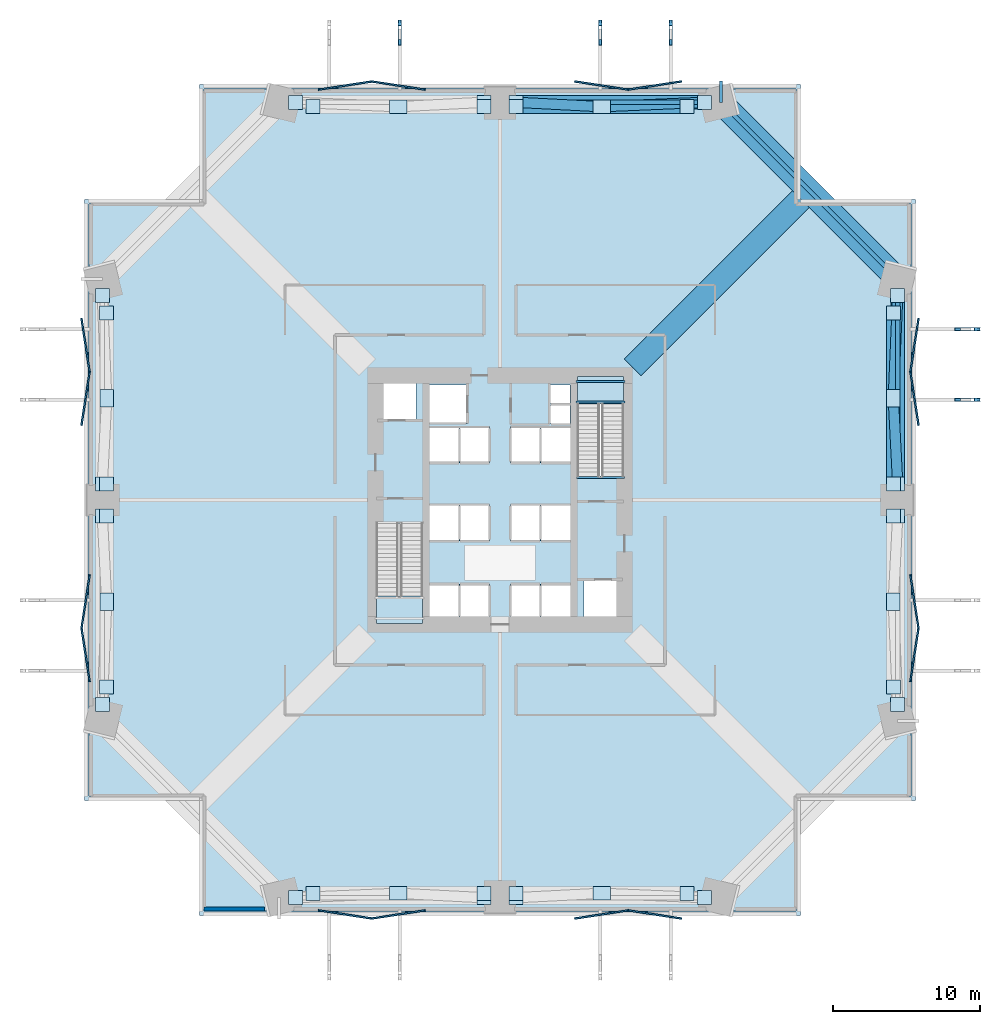
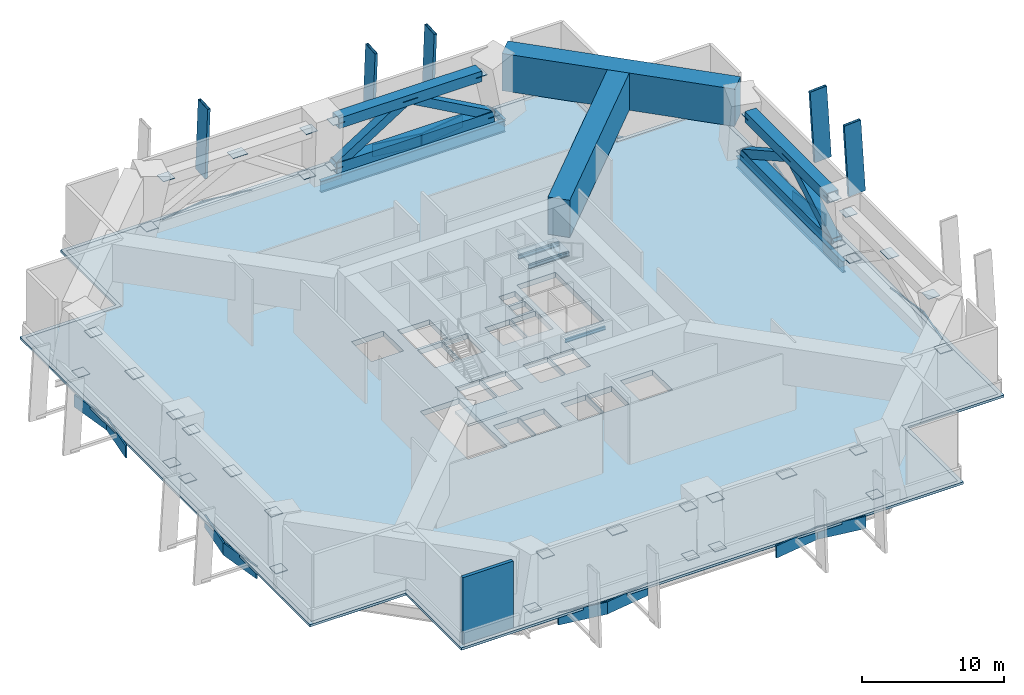
# One storey, part 2 of 6: 56 plates, 13 beams, 9 members, 4 slabs, 1 wall, 2 elements without a shape of their own.
"""IFC4 building model written with IfcOpenShell, lengths in metres."""

from ifc_helpers import new_model, si_unit, direction, frame, frame_2d, origin, origin_2d, place, context, subcontext, project, spatial, polyline, rectangle, hollow_rectangle, i_section, outline, extrude, material, layer, layer_set, material_profile, profile_set, type_object, element, aggregate, save


model = new_model("IFC4")

# Units and contexts
model_context = context("Model", 3, precision=1e-05, world=origin(), true_north=direction((0.0, 1.0)))
body_context = subcontext(model_context, "Body", "Model", "MODEL_VIEW")
ifc_project = project(units=[si_unit("LENGTHUNIT", "METRE"), si_unit("AREAUNIT", "SQUARE_METRE"), si_unit("VOLUMEUNIT", "CUBIC_METRE"), si_unit("PLANEANGLEUNIT", "RADIAN"), si_unit("MASSUNIT", "GRAM", prefix="KILO")], contexts=[model_context])

# Site, building, storey
site_placement = place(None, origin())
site = spatial("IfcSite", under=ifc_project, at=site_placement, CompositionType="ELEMENT")
building_placement = place(site_placement, origin())
building = spatial("IfcBuilding", under=site, at=building_placement, Name="Belovzor Exchange Tower", CompositionType="ELEMENT")
storey_placement = place(building_placement, frame((0.0, 0.0, 24.0)))
storey = spatial("IfcBuildingStorey", under=building, at=storey_placement, Name="L05", CompositionType="ELEMENT", Elevation=24.0)

# Members
ifc_material_1 = material(Name="Extruded Architectural Terracotta on Steel S355 Carrier", Category="masonry")
ifc_material_profile_1 = material_profile(ifc_material_1, hollow_rectangle(XDim=0.219970703125, YDim=1.35009765625, WallThickness=0.013916015625, at=origin_2d()))
ifc_profile_set_1 = profile_set([ifc_material_profile_1], Name="Extruded Architectural Terracotta on Steel S355 Carrier")
member_type_1 = type_object("IfcMemberType", Name="Base Arc Sweeping Terracotta Pylon Fin 1450", PredefinedType="USERDEFINED", material=ifc_profile_set_1)
for number, where, z_axis, x_axis, name in (
    (1, (22.0, 60.712890625, -0.449951171875), (0.0, -0.060530661981, 0.998166338322), (1.0, 0.0, 0.0), "FIN-TC145 Terracotta Facade Fin L05 N2"),
    (2, (35.60009765625, 60.712890625, -0.449951171875), (0.0, -0.060530661981, 0.998166338322), (1.0, 0.0, 0.0), "FIN-TC145 Terracotta Facade Fin L05 N3"),
    (3, (60.712890625, 35.60009765625, -0.449951171875), (-0.060530661981, 0.0, 0.998166338322), (0.0, -1.0, 0.0), "FIN-TC145 Terracotta Facade Fin L05 E3"),
    (4, (40.39990234375, 60.712890625, -0.449951171875), (0.0, -0.060530661981, 0.998166338322), (1.0, 0.0, 0.0), "FIN-TC145 Terracotta Facade Fin L05 N4"),
    (5, (60.712890625, 40.39990234375, -0.449951171875), (-0.060530661981, 0.0, 0.998166338322), (0.0, -1.0, 0.0), "FIN-TC145 Terracotta Facade Fin L05 E4"),
):
    element("IfcMember", number, at=place(storey_placement, frame(where, z_axis=z_axis, x_axis=x_axis)), inside=storey, type_object=member_type_1, Name=name, ObjectType="FIN", PredefinedType="USERDEFINED", context=body_context, shape_type="SweptSolid", body=[
        extrude(hollow_rectangle(XDim=0.219970703125, YDim=1.35009765625, WallThickness=0.013916015625, at=origin_2d()), origin(), (0.0, 0.0, 1.0), 6.21142578125),
    ])

# Beams
ifc_material_2 = material(Name="Steel S355", Category="steel")
ifc_material_profile_2 = material_profile(ifc_material_2, i_section(OverallWidth=0.199951171875, OverallDepth=0.5, WebThickness=0.01025390625, FlangeThickness=0.01611328125, at=origin_2d()))
ifc_profile_set_2 = profile_set([ifc_material_profile_2], Name="Steel S355")
beam_type_1 = type_object("IfcBeamType", Name="Planted Balcony Cantilever Beam IPE 500", PredefinedType="BEAM", material=ifc_profile_set_2)
beam_1_placement = place(storey_placement, frame((43.800048828125, 55.800048828125, -0.699951171875), z_axis=(0.0, 1.0, 0.0), x_axis=(-1.0, 0.0, 0.0)))
element("IfcBeam", 6, at=beam_1_placement, inside=storey, type_object=beam_type_1, Name="BC-500 Planted Balcony Cantilever Beam IPE 500", PredefinedType="BEAM", context=body_context, shape_type="SweptSolid", body=[
    extrude(i_section(OverallWidth=0.199951171875, OverallDepth=0.5, WebThickness=0.01025390625, FlangeThickness=0.01611328125, at=origin_2d()), origin(), (0.0, 0.0, 1.0), 1.449951171875),
])
ifc_material_3 = material(Name="Steel S460", Category="steel")
ifc_material_profile_3 = material_profile(ifc_material_3, i_section(OverallWidth=0.300048828125, OverallDepth=1.0, WebThickness=0.02099609375, FlangeThickness=0.0400390625, at=origin_2d()))
ifc_profile_set_3 = profile_set([ifc_material_profile_3], Name="Steel S460")
beam_type_2 = type_object("IfcBeamType", Name="Podium Transfer Ring Girder HEM 1000", PredefinedType="BEAM", material=ifc_profile_set_3)
beam_2_placement = place(storey_placement, frame((55.800048828125, 28.800048828125, -0.949951171875), z_axis=(0.0, 1.0, 0.0), x_axis=(-1.0, 0.0, 0.0)))
element("IfcBeam", 7, at=beam_2_placement, inside=storey, type_object=beam_type_2, Name="PG-1T Podium Transfer Ring Girder HEM 1000", PredefinedType="BEAM", context=body_context, shape_type="SweptSolid", body=[
    extrude(i_section(OverallWidth=0.300048828125, OverallDepth=1.0, WebThickness=0.02099609375, FlangeThickness=0.0400390625, at=origin_2d()), origin(), (0.0, 0.0, 1.0), 15.0),
])
beam_3_placement = place(storey_placement, frame((55.800048828125, 43.800048828125, -0.949951171875), z_axis=(-0.707106781187, 0.707106781187, 0.0), x_axis=(-0.707106781187, -0.707106781187, 0.0)))
element("IfcBeam", 8, at=beam_3_placement, inside=storey, type_object=beam_type_2, Name="PG-1T Podium Transfer Ring Girder HEM 1000", PredefinedType="BEAM", context=body_context, shape_type="SweptSolid", body=[
    extrude(i_section(OverallWidth=0.300048828125, OverallDepth=1.0, WebThickness=0.02099609375, FlangeThickness=0.0400390625, at=origin_2d()), origin(), (0.0, 0.0, 1.0), 16.970458984375),
])
beam_4_placement = place(storey_placement, frame((43.800048828125, 55.800048828125, -0.949951171875), z_axis=(-1.0, 0.0, 0.0), x_axis=(0.0, -1.0, 0.0)))
element("IfcBeam", 9, at=beam_4_placement, inside=storey, type_object=beam_type_2, Name="PG-1T Podium Transfer Ring Girder HEM 1000", PredefinedType="BEAM", context=body_context, shape_type="SweptSolid", body=[
    extrude(i_section(OverallWidth=0.300048828125, OverallDepth=1.0, WebThickness=0.02099609375, FlangeThickness=0.0400390625, at=origin_2d()), origin(), (0.0, 0.0, 1.0), 15.0),
])
ifc_material_4 = material(Name="Steel S460", Category="steel")
ifc_material_profile_4 = material_profile(ifc_material_4, hollow_rectangle(XDim=0.89990234375, YDim=0.89990234375, WallThickness=0.044921875, at=origin_2d()))
ifc_profile_set_4 = profile_set([ifc_material_profile_4], Name="Steel S460")
beam_type_3 = type_object("IfcBeamType", Name="Podium Transfer Truss Heavy Chord SHS 900x900x45", PredefinedType="BEAM", material=ifc_profile_set_4)
beam_5_placement = place(storey_placement, frame((55.5, 29.89990234375, 4.5), z_axis=(0.0, 1.0, 0.0), x_axis=(-1.0, 0.0, 0.0)))
element("IfcBeam", 10, at=beam_5_placement, inside=storey, type_object=beam_type_3, Name="TC-900 Podium Transfer Truss Heavy Chord SHS 900x900x45", PredefinedType="BEAM", context=body_context, shape_type="SweptSolid", body=[
    extrude(hollow_rectangle(XDim=0.89990234375, YDim=0.89990234375, WallThickness=0.044921875, at=origin_2d()), origin(), (0.0, 0.0, 1.0), 11.60009765625),
])
beam_6_placement = place(storey_placement, frame((55.800048828125, 29.89990234375, 0.449951171875), z_axis=(0.0, 1.0, 0.0), x_axis=(-1.0, 0.0, 0.0)))
element("IfcBeam", 11, at=beam_6_placement, inside=storey, type_object=beam_type_3, Name="TC-900 Podium Transfer Truss Heavy Chord SHS 900x900x45", PredefinedType="BEAM", context=body_context, shape_type="SweptSolid", body=[
    extrude(hollow_rectangle(XDim=0.89990234375, YDim=0.89990234375, WallThickness=0.044921875, at=origin_2d()), origin(), (0.0, 0.0, 1.0), 12.800048828125),
])
beam_7_placement = place(storey_placement, frame((41.5, 55.5, 4.5), z_axis=(-1.0, 0.0, 0.0), x_axis=(0.0, -1.0, 0.0)))
element("IfcBeam", 12, at=beam_7_placement, inside=storey, type_object=beam_type_3, Name="TC-900 Podium Transfer Truss Heavy Chord SHS 900x900x45", PredefinedType="BEAM", context=body_context, shape_type="SweptSolid", body=[
    extrude(hollow_rectangle(XDim=0.89990234375, YDim=0.89990234375, WallThickness=0.044921875, at=origin_2d()), origin(), (0.0, 0.0, 1.0), 11.60009765625),
])
beam_8_placement = place(storey_placement, frame((42.699951171875, 55.800048828125, 0.449951171875), z_axis=(-1.0, 0.0, 0.0), x_axis=(0.0, -1.0, 0.0)))
element("IfcBeam", 13, at=beam_8_placement, inside=storey, type_object=beam_type_3, Name="TC-900 Podium Transfer Truss Heavy Chord SHS 900x900x45", PredefinedType="BEAM", context=body_context, shape_type="SweptSolid", body=[
    extrude(hollow_rectangle(XDim=0.89990234375, YDim=0.89990234375, WallThickness=0.044921875, at=origin_2d()), origin(), (0.0, 0.0, 1.0), 12.800048828125),
])

# Members
ifc_material_5 = material(Name="Steel S460", Category="steel")
ifc_material_profile_5 = material_profile(ifc_material_5, hollow_rectangle(XDim=0.699951171875, YDim=0.699951171875, WallThickness=0.034912109375, at=origin_2d()))
ifc_profile_set_5 = profile_set([ifc_material_profile_5], Name="Steel S460")
member_type_2 = type_object("IfcMemberType", Name="Podium Transfer Truss Web Diagonal SHS 700x700x35", PredefinedType="BRACE", material=ifc_profile_set_5)
member_1_placement = place(storey_placement, frame((55.800048828125, 29.89990234375, 0.449951171875), z_axis=(-0.042376780637, 0.819157996422, 0.572000336854), x_axis=(-0.998664573642, -0.051663036621, 0.0)))
element("IfcMember", 14, at=member_1_placement, inside=storey, type_object=member_type_2, Name="TD-700 Podium Transfer Truss Web Diagonal SHS 700x700x35", PredefinedType="BRACE", context=body_context, shape_type="SweptSolid", body=[
    extrude(hollow_rectangle(XDim=0.699951171875, YDim=0.699951171875, WallThickness=0.034912109375, at=origin_2d()), origin(), (0.0, 0.0, 1.0), 7.08056640625),
])
for number, where, z_axis, x_axis, name in (
    (15, (55.5, 35.699951171875, 4.5), (0.03707615952, 0.864969605983, -0.500452734153), (-0.999082597668, 0.042824794661, 0.0), "TD-700 Podium Transfer Truss Web Diagonal SHS 700x700x35"),
    (16, (42.699951171875, 55.800048828125, 0.449951171875), (-0.864969605983, -0.03707615952, 0.500452734153), (0.042824794661, -0.999082597668, 0.0), "TD-700 Podium Transfer Truss Web Diagonal SHS 700x700x35"),
):
    element("IfcMember", number, at=place(storey_placement, frame(where, z_axis=z_axis, x_axis=x_axis)), inside=storey, type_object=member_type_2, Name=name, PredefinedType="BRACE", context=body_context, shape_type="SweptSolid", body=[
        extrude(hollow_rectangle(XDim=0.699951171875, YDim=0.699951171875, WallThickness=0.034912109375, at=origin_2d()), origin(), (0.0, 0.0, 1.0), 8.0927734375),
    ])
member_2_placement = place(storey_placement, frame((35.699951171875, 55.5, 4.5), z_axis=(-0.819157996422, 0.042376780637, -0.572000336854), x_axis=(-0.051663036621, -0.998664573642, 0.0)))
element("IfcMember", 17, at=member_2_placement, inside=storey, type_object=member_type_2, Name="TD-700 Podium Transfer Truss Web Diagonal SHS 700x700x35", PredefinedType="BRACE", context=body_context, shape_type="SweptSolid", body=[
    extrude(hollow_rectangle(XDim=0.699951171875, YDim=0.699951171875, WallThickness=0.034912109375, at=origin_2d()), origin(), (0.0, 0.0, 1.0), 7.08056640625),
])

# Beams
ifc_material_6 = material(Name="Concrete C60/75", Category="concrete")
ifc_material_profile_6 = material_profile(ifc_material_6, rectangle(XDim=1.60009765625, YDim=3.199951171875, at=origin_2d()))
ifc_profile_set_6 = profile_set([ifc_material_profile_6], Name="Concrete C60/75")
beam_type_4 = type_object("IfcBeamType", Name="Reinforced Concrete Deep Transfer Girder 1600x3200", PredefinedType="BEAM", material=ifc_profile_set_6)
for number, where, z_axis, x_axis, name in (
    (18, (55.800048828125, 43.800048828125, 4.14990234375), (-0.707106781187, 0.707106781187, 0.0), (-0.707106781187, -0.707106781187, 0.0), "TG-1 Reinforced Concrete Deep Transfer Girder 1600x3200"),
    (19, (37.800048828125, 37.800048828125, 4.14990234375), (0.707106781187, 0.707106781187, 0.0), (-0.707106781187, 0.707106781187, 0.0), "TG-1 Reinforced Concrete Deep Transfer Girder 1600x3200"),
):
    element("IfcBeam", number, at=place(storey_placement, frame(where, z_axis=z_axis, x_axis=x_axis)), inside=storey, type_object=beam_type_4, Name=name, PredefinedType="BEAM", context=body_context, shape_type="SweptSolid", body=[
        extrude(rectangle(XDim=1.60009765625, YDim=3.199951171875, at=origin_2d()), origin(), (0.0, 0.0, 1.0), 16.970458984375),
    ])
ifc_material_7 = material(Name="Steel S355", Category="steel")
ifc_material_profile_7 = material_profile(ifc_material_7, i_section(OverallWidth=0.14990234375, OverallDepth=0.300048828125, WebThickness=0.007080078125, FlangeThickness=0.0107421875, at=origin_2d()))
ifc_profile_set_7 = profile_set([ifc_material_profile_7], Name="Steel S355")
beam_type_5 = type_object("IfcBeamType", Name="Secondary Trim Floor Joist IPE 300", PredefinedType="BEAM", material=ifc_profile_set_7)
for number, where, z_axis, x_axis, name in (
    (20, (37.280029296875, 35.449951171875, 2.64990234375), (-1.0, 0.0, 0.0), (0.0, -1.0, 0.0), "FJ-300 Secondary Trim Floor Joist IPE 300"),
    (21, (37.280029296875, 36.85009765625, 2.64990234375), (-1.0, 0.0, 0.0), (0.0, -1.0, 0.0), "FJ-300 Secondary Trim Floor Joist IPE 300"),
):
    element("IfcBeam", number, at=place(storey_placement, frame(where, z_axis=z_axis, x_axis=x_axis)), inside=storey, type_object=beam_type_5, Name=name, PredefinedType="BEAM", context=body_context, shape_type="SweptSolid", body=[
        extrude(i_section(OverallWidth=0.14990234375, OverallDepth=0.300048828125, WebThickness=0.007080078125, FlangeThickness=0.0107421875, at=origin_2d()), origin(), (0.0, 0.0, 1.0), 3.31005859375),
    ])
beam_9_placement = place(storey_placement, frame((37.260009765625, 30.320068359375, -0.60009765625), z_axis=(-1.0, 0.0, 0.0), x_axis=(0.0, -1.0, 0.0)))
element("IfcBeam", 22, at=beam_9_placement, inside=storey, type_object=beam_type_5, Name="FJ-300 Secondary Trim Floor Joist IPE 300", PredefinedType="BEAM", context=body_context, shape_type="SweptSolid", body=[
    extrude(i_section(OverallWidth=0.14990234375, OverallDepth=0.300048828125, WebThickness=0.007080078125, FlangeThickness=0.0107421875, at=origin_2d()), origin(), (0.0, 0.0, 1.0), 3.27001953125),
])

# Plates
ifc_material_8 = material(Name="Extruded Architectural Terracotta", Category="masonry")
ifc_layer_1 = layer(ifc_material_8, 0.1201171875)
ifc_layer_set_1 = layer_set([ifc_layer_1], Name="Extruded Architectural Terracotta")
plate_type_1 = type_object("IfcPlateType", Name="Folded Zigzag Terracotta Spandrel Louvre 80", PredefinedType="USERDEFINED", material=ifc_layer_set_1)
for number, where, z_axis, x_axis, name in (
    (23, (18.300048828125, 0.6650390625, -1.03515625), (0.0, 0.0, 1.0), (0.98853081729, -0.151019281113, 0.0), "LVR-ZZ1 Zigzag Terracotta Spandrel Louvre L05 S1A"),
    (24, (21.89990234375, 0.6650390625, -1.03515625), (0.0, 0.0, 1.0), (0.98853081729, 0.151019281113, 0.0), "LVR-ZZ1 Zigzag Terracotta Spandrel Louvre L05 S1B"),
    (25, (18.300048828125, 56.93505859375, -1.03515625), (0.0, 0.0, 1.0), (0.98853081729, 0.151019281113, 0.0), "LVR-ZZ1 Zigzag Terracotta Spandrel Louvre L05 N1A"),
    (26, (21.89990234375, 56.93505859375, -1.03515625), (0.0, 0.0, 1.0), (0.98853081729, -0.151019281113, 0.0), "LVR-ZZ1 Zigzag Terracotta Spandrel Louvre L05 N1B"),
    (27, (0.6650390625, 18.300048828125, -1.03515625), (0.0, 0.0, 1.0), (-0.151019281113, 0.98853081729, 0.0), "LVR-ZZ1 Zigzag Terracotta Spandrel Louvre L05 W1A"),
    (28, (0.6650390625, 21.89990234375, -1.03515625), (0.0, 0.0, 1.0), (0.151019281113, 0.98853081729, 0.0), "LVR-ZZ1 Zigzag Terracotta Spandrel Louvre L05 W1B"),
    (29, (56.93505859375, 18.300048828125, -1.03515625), (0.0, 0.0, 1.0), (0.151019281113, 0.98853081729, 0.0), "LVR-ZZ1 Zigzag Terracotta Spandrel Louvre L05 E1A"),
    (30, (56.93505859375, 21.89990234375, -1.03515625), (0.0, 0.0, 1.0), (-0.151019281113, 0.98853081729, 0.0), "LVR-ZZ1 Zigzag Terracotta Spandrel Louvre L05 E1B"),
    (31, (35.699951171875, 0.6650390625, -1.03515625), (0.0, 0.0, 1.0), (0.98853081729, 0.151019281113, 0.0), "LVR-ZZ1 Zigzag Terracotta Spandrel Louvre L05 S2A"),
    (32, (39.300048828125, 0.6650390625, -1.03515625), (0.0, 0.0, 1.0), (0.98853081729, -0.151019281113, 0.0), "LVR-ZZ1 Zigzag Terracotta Spandrel Louvre L05 S2B"),
    (33, (35.699951171875, 56.93505859375, -1.03515625), (0.0, 0.0, 1.0), (0.98853081729, -0.151019281113, 0.0), "LVR-ZZ1 Zigzag Terracotta Spandrel Louvre L05 N2A"),
    (34, (39.300048828125, 56.93505859375, -1.03515625), (0.0, 0.0, 1.0), (0.98853081729, 0.151019281113, 0.0), "LVR-ZZ1 Zigzag Terracotta Spandrel Louvre L05 N2B"),
    (35, (0.6650390625, 35.699951171875, -1.03515625), (0.0, 0.0, 1.0), (0.151019281113, 0.98853081729, 0.0), "LVR-ZZ1 Zigzag Terracotta Spandrel Louvre L05 W2A"),
    (36, (0.6650390625, 39.300048828125, -1.03515625), (0.0, 0.0, 1.0), (-0.151019281113, 0.98853081729, 0.0), "LVR-ZZ1 Zigzag Terracotta Spandrel Louvre L05 W2B"),
    (37, (56.93505859375, 35.699951171875, -1.03515625), (0.0, 0.0, 1.0), (-0.151019281113, 0.98853081729, 0.0), "LVR-ZZ1 Zigzag Terracotta Spandrel Louvre L05 E2A"),
    (38, (56.93505859375, 39.300048828125, -1.03515625), (0.0, 0.0, 1.0), (0.151019281113, 0.98853081729, 0.0), "LVR-ZZ1 Zigzag Terracotta Spandrel Louvre L05 E2B"),
):
    element("IfcPlate", number, at=place(storey_placement, frame(where, z_axis=z_axis, x_axis=x_axis)), inside=storey, type_object=plate_type_1, Name=name, ObjectType="SPANDREL_LOUVRE", PredefinedType="USERDEFINED", context=body_context, shape_type="SweptSolid", body=[
        extrude(rectangle(XDim=3.721923828125, YDim=0.1201171875, at=origin_2d()), origin(), (0.0, 0.0, 1.0), 1.050048828125),
    ])
ifc_material_9 = material(Name="Steel S460", Category="steel")
ifc_layer_2 = layer(ifc_material_9, 0.034912109375)
ifc_layer_set_2 = layer_set([ifc_layer_2], Name="Steel S460")
plate_type_2 = type_object("IfcPlateType", Name="Hollow Chord End Cap Plate 950x950x35", PredefinedType="USERDEFINED", material=ifc_layer_set_2)
for number, where, z_axis, x_axis, name in (
    (39, (16.10009765625, 2.10009765625, 4.482421875), (0.0, 0.0, 1.0), (1.0, 0.0, 0.0), "CP-1 Hollow Chord End Cap Plate 950x950x35"),
    (40, (27.699951171875, 2.10009765625, 4.482421875), (0.0, 0.0, 1.0), (1.0, 0.0, 0.0), "CP-1 Hollow Chord End Cap Plate 950x950x35"),
    (41, (14.89990234375, 1.800048828125, 0.4326171875), (0.0, 0.0, 1.0), (1.0, 0.0, 0.0), "CP-1 Hollow Chord End Cap Plate 950x950x35"),
    (42, (27.699951171875, 1.800048828125, 0.4326171875), (0.0, 0.0, 1.0), (1.0, 0.0, 0.0), "CP-1 Hollow Chord End Cap Plate 950x950x35"),
    (43, (29.89990234375, 2.10009765625, 4.482421875), (0.0, 0.0, 1.0), (1.0, 0.0, 0.0), "CP-1 Hollow Chord End Cap Plate 950x950x35"),
    (44, (41.5, 2.10009765625, 4.482421875), (0.0, 0.0, 1.0), (1.0, 0.0, 0.0), "CP-1 Hollow Chord End Cap Plate 950x950x35"),
    (45, (29.89990234375, 1.800048828125, 0.4326171875), (0.0, 0.0, 1.0), (1.0, 0.0, 0.0), "CP-1 Hollow Chord End Cap Plate 950x950x35"),
    (46, (42.699951171875, 1.800048828125, 0.4326171875), (0.0, 0.0, 1.0), (1.0, 0.0, 0.0), "CP-1 Hollow Chord End Cap Plate 950x950x35"),
    (47, (55.5, 16.10009765625, 4.482421875), (0.0, 0.0, 1.0), (0.0, 1.0, 0.0), "CP-1 Hollow Chord End Cap Plate 950x950x35"),
    (48, (55.5, 27.699951171875, 4.482421875), (0.0, 0.0, 1.0), (0.0, 1.0, 0.0), "CP-1 Hollow Chord End Cap Plate 950x950x35"),
    (49, (55.800048828125, 14.89990234375, 0.4326171875), (0.0, 0.0, 1.0), (0.0, 1.0, 0.0), "CP-1 Hollow Chord End Cap Plate 950x950x35"),
    (50, (55.800048828125, 27.699951171875, 0.4326171875), (0.0, 0.0, 1.0), (0.0, 1.0, 0.0), "CP-1 Hollow Chord End Cap Plate 950x950x35"),
    (51, (55.5, 29.89990234375, 4.482421875), (0.0, 0.0, 1.0), (0.0, 1.0, 0.0), "CP-1 Hollow Chord End Cap Plate 950x950x35"),
    (52, (55.5, 41.5, 4.482421875), (0.0, 0.0, 1.0), (0.0, 1.0, 0.0), "CP-1 Hollow Chord End Cap Plate 950x950x35"),
    (53, (55.800048828125, 29.89990234375, 0.4326171875), (0.0, 0.0, 1.0), (0.0, 1.0, 0.0), "CP-1 Hollow Chord End Cap Plate 950x950x35"),
    (54, (55.800048828125, 42.699951171875, 0.4326171875), (0.0, 0.0, 1.0), (0.0, 1.0, 0.0), "CP-1 Hollow Chord End Cap Plate 950x950x35"),
    (55, (41.5, 55.5, 4.482421875), (0.0, 0.0, 1.0), (1.0, 0.0, 0.0), "CP-1 Hollow Chord End Cap Plate 950x950x35"),
    (56, (29.89990234375, 55.5, 4.482421875), (0.0, 0.0, 1.0), (1.0, 0.0, 0.0), "CP-1 Hollow Chord End Cap Plate 950x950x35"),
    (57, (42.699951171875, 55.800048828125, 0.4326171875), (0.0, 0.0, 1.0), (1.0, 0.0, 0.0), "CP-1 Hollow Chord End Cap Plate 950x950x35"),
    (58, (29.89990234375, 55.800048828125, 0.4326171875), (0.0, 0.0, 1.0), (1.0, 0.0, 0.0), "CP-1 Hollow Chord End Cap Plate 950x950x35"),
    (59, (27.699951171875, 55.5, 4.482421875), (0.0, 0.0, 1.0), (1.0, 0.0, 0.0), "CP-1 Hollow Chord End Cap Plate 950x950x35"),
    (60, (16.10009765625, 55.5, 4.482421875), (0.0, 0.0, 1.0), (1.0, 0.0, 0.0), "CP-1 Hollow Chord End Cap Plate 950x950x35"),
    (61, (27.699951171875, 55.800048828125, 0.4326171875), (0.0, 0.0, 1.0), (1.0, 0.0, 0.0), "CP-1 Hollow Chord End Cap Plate 950x950x35"),
    (62, (14.89990234375, 55.800048828125, 0.4326171875), (0.0, 0.0, 1.0), (1.0, 0.0, 0.0), "CP-1 Hollow Chord End Cap Plate 950x950x35"),
    (63, (2.10009765625, 41.5, 4.482421875), (0.0, 0.0, 1.0), (0.0, 1.0, 0.0), "CP-1 Hollow Chord End Cap Plate 950x950x35"),
    (64, (2.10009765625, 29.89990234375, 4.482421875), (0.0, 0.0, 1.0), (0.0, 1.0, 0.0), "CP-1 Hollow Chord End Cap Plate 950x950x35"),
    (65, (1.800048828125, 42.699951171875, 0.4326171875), (0.0, 0.0, 1.0), (0.0, 1.0, 0.0), "CP-1 Hollow Chord End Cap Plate 950x950x35"),
    (66, (1.800048828125, 29.89990234375, 0.4326171875), (0.0, 0.0, 1.0), (0.0, 1.0, 0.0), "CP-1 Hollow Chord End Cap Plate 950x950x35"),
    (67, (2.10009765625, 27.699951171875, 4.482421875), (0.0, 0.0, 1.0), (0.0, 1.0, 0.0), "CP-1 Hollow Chord End Cap Plate 950x950x35"),
    (68, (2.10009765625, 16.10009765625, 4.482421875), (0.0, 0.0, 1.0), (0.0, 1.0, 0.0), "CP-1 Hollow Chord End Cap Plate 950x950x35"),
    (69, (1.800048828125, 27.699951171875, 0.4326171875), (0.0, 0.0, 1.0), (0.0, 1.0, 0.0), "CP-1 Hollow Chord End Cap Plate 950x950x35"),
    (70, (1.800048828125, 14.89990234375, 0.4326171875), (0.0, 0.0, 1.0), (0.0, 1.0, 0.0), "CP-1 Hollow Chord End Cap Plate 950x950x35"),
):
    element("IfcPlate", number, at=place(storey_placement, frame(where, z_axis=z_axis, x_axis=x_axis)), inside=storey, type_object=plate_type_2, Name=name, ObjectType="CAP_PLATE", PredefinedType="USERDEFINED", context=body_context, shape_type="SweptSolid", body=[
        extrude(rectangle(XDim=0.949951171875, YDim=0.949951171875, at=origin_2d()), origin(), (0.0, 0.0, 1.0), 0.034912109375),
    ])

# Stair, slab
ifc_material_10 = material(Name="Concrete C40/50", Category="concrete")
stair_type = type_object("IfcStairType", Name="Reinforced Concrete Dogleg Escape Stair 1350", PredefinedType="HALF_TURN_STAIR", material=ifc_material_10)
stair_1_placement = place(storey_placement, origin())
stair_1 = element("IfcStair", 71, at=stair_1_placement, inside=storey, type_object=stair_type, Name="L05 ST-1", PredefinedType="HALF_TURN_STAIR")
ifc_material_11 = material(Name="Concrete C40/50", Category="concrete")
ifc_layer_3 = layer(ifc_material_11, 0.199951171875)
ifc_layer_set_3 = layer_set([ifc_layer_3], Name="Concrete C40/50")
slab_type_1 = type_object("IfcSlabType", Name="Reinforced Concrete Stair Half-Landing Slab 200", PredefinedType="LANDING", material=ifc_layer_set_3)
slab_1_placement = place(storey_placement, frame((0.0, 0.0, 2.800048828125)))
slab_1 = element("IfcSlab", 72, at=slab_1_placement, type_object=slab_type_1, Name="ST-1 landing 1", PredefinedType="LANDING", context=body_context, shape_type="SweptSolid", body=[
    extrude(outline(polyline([(20.39990234375, 22.27001953125), (20.39990234375, 20.39990234375), (23.550048828125, 20.39990234375), (23.550048828125, 22.27001953125), (20.39990234375, 22.27001953125)])), origin(), (0.0, 0.0, 1.0), 0.199951171875),
])
aggregate(stair_1, [slab_1])

stair_2_placement = place(storey_placement, origin())
stair_2 = element("IfcStair", 73, at=stair_2_placement, inside=storey, type_object=stair_type, Name="L05 ST-2", PredefinedType="HALF_TURN_STAIR")
slab_2_placement = place(storey_placement, frame((0.0, 0.0, 2.800048828125)))
slab_2 = element("IfcSlab", 74, at=slab_2_placement, type_object=slab_type_1, Name="ST-2 landing 1", PredefinedType="LANDING", context=body_context, shape_type="SweptSolid", body=[
    extrude(outline(polyline([(37.199951171875, 35.330078125), (37.199951171875, 37.199951171875), (34.050048828125, 37.199951171875), (34.050048828125, 35.330078125), (37.199951171875, 35.330078125)])), origin(), (0.0, 0.0, 1.0), 0.199951171875),
])
aggregate(stair_2, [slab_2])

# Slabs
ifc_material_12 = material(Name="Concrete C50/60", Category="concrete")
ifc_layer_4 = layer(ifc_material_12, 0.449951171875)
ifc_layer_set_4 = layer_set([ifc_layer_4], Name="Concrete C50/60")
slab_type_2 = type_object("IfcSlabType", Name="Reinforced Concrete Transfer Deck Slab 450", PredefinedType="FLOOR", material=ifc_layer_set_4)
slab_3_placement = place(storey_placement, frame((0.0, 0.0, -0.449951171875)))
element("IfcSlab", 75, at=slab_3_placement, inside=storey, type_object=slab_type_2, Name="SL-F450 Structural Slab L05", PredefinedType="FLOOR", context=body_context, shape_type="SweptSolid", body=[
    extrude(outline(polyline([(8.699951171875, 0.89990234375), (48.89990234375, 0.89990234375), (48.89990234375, 8.699951171875), (56.699951171875, 8.699951171875), (56.699951171875, 48.89990234375), (48.89990234375, 48.89990234375), (48.89990234375, 56.699951171875), (8.699951171875, 56.699951171875), (8.699951171875, 48.89990234375), (0.89990234375, 48.89990234375), (0.89990234375, 8.699951171875), (8.699951171875, 8.699951171875), (8.699951171875, 0.89990234375)]), holes=[polyline([(20.39990234375, 27.175048828125), (20.39990234375, 20.39990234375), (23.550048828125, 20.39990234375), (23.550048828125, 27.175048828125), (20.39990234375, 27.175048828125)]), polyline([(37.199951171875, 30.425048828125), (37.199951171875, 37.199951171875), (34.050048828125, 37.199951171875), (34.050048828125, 30.425048828125), (37.199951171875, 30.425048828125)]), polyline([(20.5, 34.199951171875), (23.10009765625, 34.199951171875), (23.10009765625, 37.0), (20.5, 37.0), (20.5, 34.199951171875)]), polyline([(34.5, 20.60009765625), (37.10009765625, 20.60009765625), (37.10009765625, 23.39990234375), (34.5, 23.39990234375), (34.5, 20.60009765625)]), polyline([(24.0, 34.0), (26.60009765625, 34.0), (26.60009765625, 36.60009765625), (24.0, 36.60009765625), (24.0, 34.0)]), polyline([(24.0, 20.60009765625), (26.0, 20.60009765625), (26.0, 23.10009765625), (24.0, 23.10009765625), (24.0, 20.60009765625)]), polyline([(26.10009765625, 20.60009765625), (28.10009765625, 20.60009765625), (28.10009765625, 23.10009765625), (26.10009765625, 23.10009765625), (26.10009765625, 20.60009765625)]), polyline([(29.5, 20.60009765625), (31.5, 20.60009765625), (31.5, 23.10009765625), (29.5, 23.10009765625), (29.5, 20.60009765625)]), polyline([(31.60009765625, 20.60009765625), (33.60009765625, 20.60009765625), (33.60009765625, 23.10009765625), (31.60009765625, 23.10009765625), (31.60009765625, 20.60009765625)]), polyline([(24.0, 26.0), (26.0, 26.0), (26.0, 28.5), (24.0, 28.5), (24.0, 26.0)]), polyline([(26.10009765625, 26.0), (28.10009765625, 26.0), (28.10009765625, 28.5), (26.10009765625, 28.5), (26.10009765625, 26.0)]), polyline([(29.5, 26.0), (31.5, 26.0), (31.5, 28.5), (29.5, 28.5), (29.5, 26.0)]), polyline([(31.60009765625, 26.0), (33.60009765625, 26.0), (33.60009765625, 28.5), (31.60009765625, 28.5), (31.60009765625, 26.0)]), polyline([(24.0, 31.300048828125), (26.0, 31.300048828125), (26.0, 33.800048828125), (24.0, 33.800048828125), (24.0, 31.300048828125)]), polyline([(26.10009765625, 31.300048828125), (28.10009765625, 31.300048828125), (28.10009765625, 33.800048828125), (26.10009765625, 33.800048828125), (26.10009765625, 31.300048828125)]), polyline([(29.5, 31.300048828125), (31.5, 31.300048828125), (31.5, 33.800048828125), (29.5, 33.800048828125), (29.5, 31.300048828125)]), polyline([(31.60009765625, 31.300048828125), (33.60009765625, 31.300048828125), (33.60009765625, 33.800048828125), (31.60009765625, 33.800048828125), (31.60009765625, 31.300048828125)]), polyline([(32.199951171875, 34.0), (33.550048828125, 34.0), (33.550048828125, 35.199951171875), (32.199951171875, 35.199951171875), (32.199951171875, 34.0)]), polyline([(32.199951171875, 35.39990234375), (33.550048828125, 35.39990234375), (33.550048828125, 36.60009765625), (32.199951171875, 36.60009765625), (32.199951171875, 35.39990234375)])]), origin(), (0.0, 0.0, 1.0), 0.449951171875),
])
ifc_material_13 = material(Name="Concrete C40/50", Category="concrete")
ifc_layer_5 = layer(ifc_material_13, 0.199951171875)
ifc_layer_set_5 = layer_set([ifc_layer_5], Name="Concrete C40/50")
slab_type_3 = type_object("IfcSlabType", Name="Setback Weathering Roof Ring Slab 200", PredefinedType="ROOF", material=ifc_layer_set_5)
slab_4_placement = place(storey_placement, frame((0.0, 0.0, -0.199951171875)))
element("IfcSlab", 76, at=slab_4_placement, inside=storey, type_object=slab_type_3, Name="SL-RF200A Setback Weathering Roof Ring L04", PredefinedType="ROOF", context=body_context, shape_type="SweptSolid", body=[
    extrude(outline(polyline([(8.39990234375, 0.60009765625), (49.199951171875, 0.60009765625), (49.199951171875, 8.39990234375), (57.0, 8.39990234375), (57.0, 49.199951171875), (49.199951171875, 49.199951171875), (49.199951171875, 57.0), (8.39990234375, 57.0), (8.39990234375, 49.199951171875), (0.60009765625, 49.199951171875), (0.60009765625, 8.39990234375), (8.39990234375, 8.39990234375), (8.39990234375, 0.60009765625)]), holes=[polyline([(8.699951171875, 0.89990234375), (48.89990234375, 0.89990234375), (48.89990234375, 8.699951171875), (56.699951171875, 8.699951171875), (56.699951171875, 48.89990234375), (48.89990234375, 48.89990234375), (48.89990234375, 56.699951171875), (8.699951171875, 56.699951171875), (8.699951171875, 48.89990234375), (0.89990234375, 48.89990234375), (0.89990234375, 8.699951171875), (8.699951171875, 8.699951171875), (8.699951171875, 0.89990234375)])]), origin(), (0.0, 0.0, 1.0), 0.199951171875),
])

# Plates
ifc_material_14 = material(Name="Steel S460", Category="steel")
ifc_layer_6 = layer(ifc_material_14, 0.0400390625)
ifc_layer_set_6 = layer_set([ifc_layer_6], Name="Steel S460")
plate_type_3 = type_object("IfcPlateType", Name="Transfer Truss Node Gusset Diaphragm Plate 1200x900x40", PredefinedType="SHEET", material=ifc_layer_set_6)
for number, where, z_axis, x_axis, name in (
    (77, (21.89990234375, 2.10009765625, 4.47998046875), (0.0, 0.0, 1.0), (1.0, 0.0, 0.0), "KN-1 Transfer Truss Node Gusset Diaphragm Plate 1200x900x40"),
    (78, (35.699951171875, 2.10009765625, 4.47998046875), (0.0, 0.0, 1.0), (1.0, 0.0, 0.0), "KN-1 Transfer Truss Node Gusset Diaphragm Plate 1200x900x40"),
    (79, (55.5, 21.89990234375, 4.47998046875), (0.0, 0.0, 1.0), (0.0, 1.0, 0.0), "KN-1 Transfer Truss Node Gusset Diaphragm Plate 1200x900x40"),
    (80, (55.5, 35.699951171875, 4.47998046875), (0.0, 0.0, 1.0), (0.0, 1.0, 0.0), "KN-1 Transfer Truss Node Gusset Diaphragm Plate 1200x900x40"),
    (81, (35.699951171875, 55.5, 4.47998046875), (0.0, 0.0, 1.0), (1.0, 0.0, 0.0), "KN-1 Transfer Truss Node Gusset Diaphragm Plate 1200x900x40"),
    (82, (21.89990234375, 55.5, 4.47998046875), (0.0, 0.0, 1.0), (1.0, 0.0, 0.0), "KN-1 Transfer Truss Node Gusset Diaphragm Plate 1200x900x40"),
    (83, (2.10009765625, 35.699951171875, 4.47998046875), (0.0, 0.0, 1.0), (0.0, 1.0, 0.0), "KN-1 Transfer Truss Node Gusset Diaphragm Plate 1200x900x40"),
    (84, (2.10009765625, 21.89990234375, 4.47998046875), (0.0, 0.0, 1.0), (0.0, 1.0, 0.0), "KN-1 Transfer Truss Node Gusset Diaphragm Plate 1200x900x40"),
):
    element("IfcPlate", number, at=place(storey_placement, frame(where, z_axis=z_axis, x_axis=x_axis)), inside=storey, type_object=plate_type_3, Name=name, PredefinedType="SHEET", context=body_context, shape_type="SweptSolid", body=[
        extrude(rectangle(XDim=1.199951171875, YDim=0.89990234375, at=origin_2d()), origin(), (0.0, 0.0, 1.0), 0.0400390625),
    ])

# Wall
ifc_material_15 = material(Name="Precast concrete C40/50", Category="concrete")
ifc_layer_7 = layer(ifc_material_15, 0.260009765625)
ifc_layer_set_7 = layer_set([ifc_layer_7], Name="Precast concrete C40/50")
wall_type = type_object("IfcWallType", Name="Precast Concrete Perimeter Loggia Frame Wall 260", PredefinedType="SOLIDWALL", material=ifc_layer_set_7)
wall_placement = place(storey_placement, frame((12.800048828125, 1.030029296875, 0.0), z_axis=(0.0, 0.0, 1.0), x_axis=(-1.0, 0.0, 0.0)))
element("IfcWall", 85, at=wall_placement, inside=storey, type_object=wall_type, Name="W-EXT260 Precast Concrete Perimeter Loggia Frame Wall 260 L05", PredefinedType="SOLIDWALL", context=body_context, shape_type="SweptSolid", body=[
    extrude(rectangle(XDim=4.10009765625, YDim=0.260009765625, at=frame_2d((2.050048828125, 0.0))), origin(), (0.0, 0.0, 1.0), 5.75),
])

save(model, "model.ifc")
